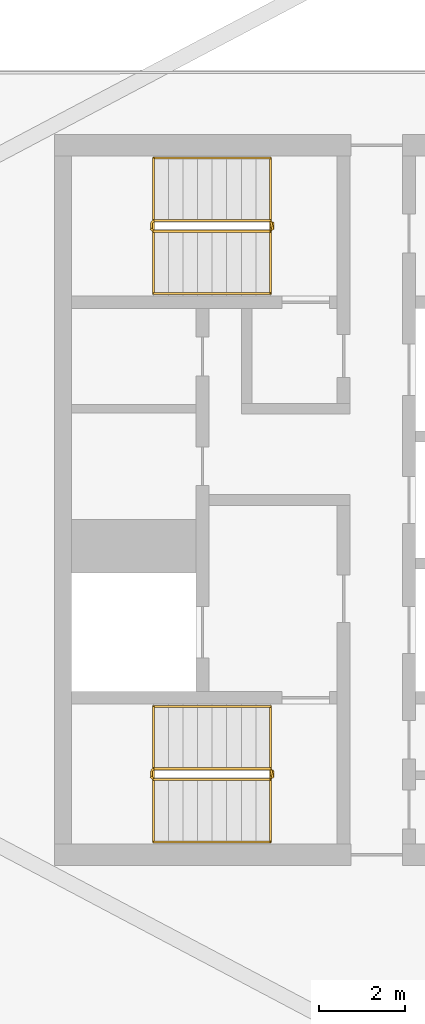
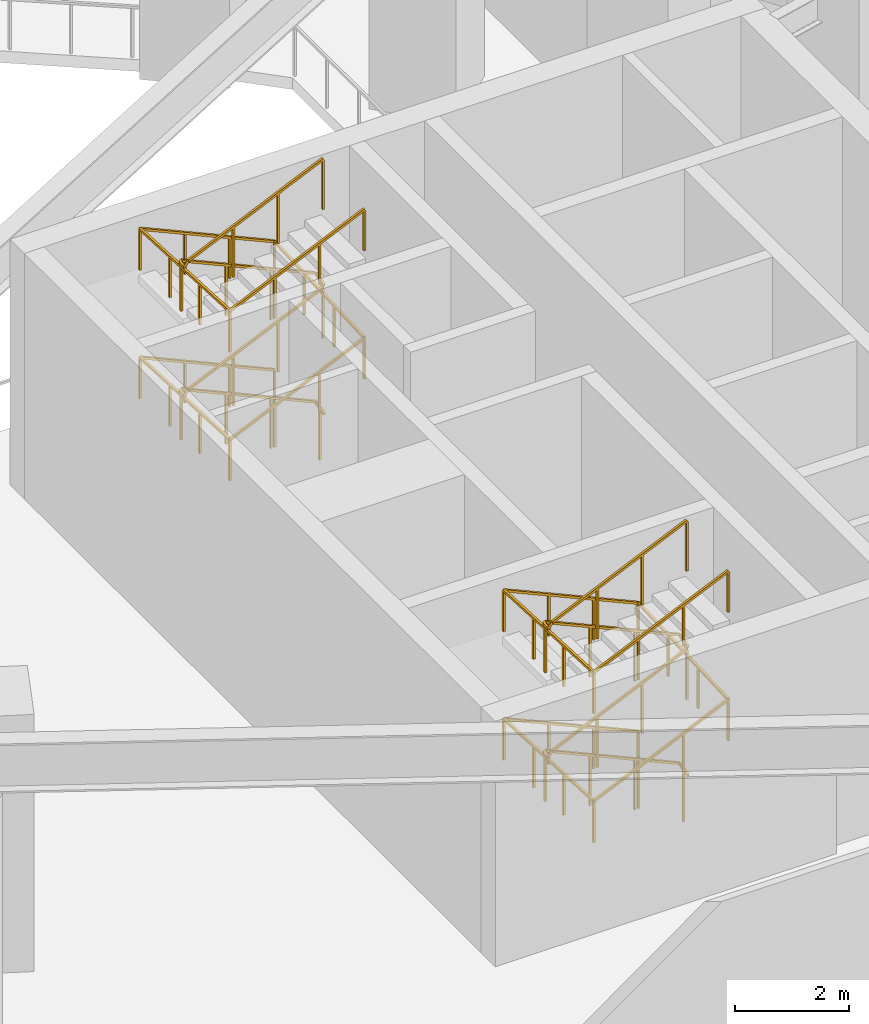
# One storey, part 61 of 69: 4 railings.
"""IFC4 building model written with IfcOpenShell, lengths in metres."""

from ifc_helpers import new_model, si_unit, direction, frame, origin, origin_2d, place, context, subcontext, project, spatial, rectangle, extrude, material, type_object, element, save


model = new_model("IFC4")

# Units and contexts
model_context = context("Model", 3, precision=1e-05, world=origin(), true_north=direction((0.0, 1.0)))
body_context = subcontext(model_context, "Body", "Model", "MODEL_VIEW")
ifc_project = project(units=[si_unit("LENGTHUNIT", "METRE"), si_unit("AREAUNIT", "SQUARE_METRE"), si_unit("VOLUMEUNIT", "CUBIC_METRE"), si_unit("PLANEANGLEUNIT", "RADIAN"), si_unit("MASSUNIT", "GRAM", prefix="KILO")], contexts=[model_context])

# Site, building, storey
site_placement = place(None, origin())
site = spatial("IfcSite", under=ifc_project, at=site_placement, CompositionType="ELEMENT")
building_placement = place(site_placement, origin())
building = spatial("IfcBuilding", under=site, at=building_placement, Name="Noorbagh Ring Tower", CompositionType="ELEMENT")
storey_placement = place(building_placement, frame((0.0, 0.0, 19.5)))
storey = spatial("IfcBuildingStorey", under=building, at=storey_placement, Name="L03", CompositionType="ELEMENT", Elevation=19.5)

# Railings
ifc_material_1 = material(Name="Stainless steel", Category="steel")
railing_type_1 = type_object("IfcRailingType", Name="CORE-STAIR-GUARD", PredefinedType="GUARDRAIL", material=ifc_material_1)
railing_1_placement = place(storey_placement, frame((21.580078125, 6.449951171875, 0.0)))
element("IfcRailing", 1, at=railing_1_placement, inside=storey, type_object=railing_type_1, Name="L03 ST3 stair guard", PredefinedType="GUARDRAIL", context=body_context, shape_type="SweptSolid", body=[
    extrude(rectangle(XDim=0.048095703125, YDim=0.048095703125, at=origin_2d()), frame((0.0, 0.0, 1.076171875), z_axis=(0.0, -1.0, 0.0), x_axis=(1.0, 0.0, 0.0)), (0.0, 0.0, 1.0), 0.14990234375),
    extrude(rectangle(XDim=0.048095703125, YDim=0.048095703125, at=origin_2d()), frame((0.0, -0.14990234375, 1.076171875), z_axis=(-0.195046945594, 0.779236333862, 0.595606770449), x_axis=(-0.970072785993, -0.242814311512, 0.0)), (0.0, 0.0, 1.0), 0.256591796875),
    extrude(rectangle(XDim=0.048095703125, YDim=0.048095703125, at=origin_2d()), frame((-0.050048828125, 0.050048828125, 1.22900390625), z_axis=(-0.912149621895, 0.0, 0.409857374312), x_axis=(0.0, -1.0, 0.0)), (0.0, 0.0, 1.0), 2.98193359375),
    extrude(rectangle(XDim=0.048095703125, YDim=0.048095703125, at=origin_2d()), frame((-2.77001953125, 0.050048828125, 2.451171875), z_axis=(-0.707106781187, -0.707106781187, 0.0), x_axis=(0.707106781187, -0.707106781187, 0.0)), (0.0, 0.0, 1.0), 0.07080078125),
    extrude(rectangle(XDim=0.048095703125, YDim=0.048095703125, at=origin_2d()), frame((-2.820068359375, 0.0, 2.451171875), z_axis=(0.0, -1.0, 0.0), x_axis=(1.0, 0.0, 0.0)), (0.0, 0.0, 1.0), 0.14990234375),
    extrude(rectangle(XDim=0.048095703125, YDim=0.048095703125, at=origin_2d()), frame((-2.820068359375, -0.14990234375, 2.451171875), z_axis=(0.297155754911, -0.297155754911, 0.90741220768), x_axis=(0.707106781187, 0.707106781187, 0.0)), (0.0, 0.0, 1.0), 0.16845703125),
    extrude(rectangle(XDim=0.048095703125, YDim=0.048095703125, at=origin_2d()), frame((-2.77001953125, -0.199951171875, 2.60400390625), z_axis=(0.912149621895, 0.0, 0.409857374312), x_axis=(0.0, 1.0, 0.0)), (0.0, 0.0, 1.0), 2.98193359375),
    extrude(rectangle(XDim=0.048095703125, YDim=0.048095703125, at=origin_2d()), frame((-0.050048828125, -0.199951171875, 3.826171875), z_axis=(0.242814311512, 0.970072785993, 0.0), x_axis=(-0.970072785993, 0.242814311512, 0.0)), (0.0, 0.0, 1.0), 0.2060546875),
    extrude(rectangle(XDim=0.048095703125, YDim=0.048095703125, at=origin_2d()), frame((0.0, 0.0, 3.826171875), z_axis=(0.0, -1.0, 0.0), x_axis=(1.0, 0.0, 0.0)), (0.0, 0.0, 1.0), 0.14990234375),
    extrude(rectangle(XDim=0.048095703125, YDim=0.048095703125, at=origin_2d()), frame((0.0, -0.14990234375, 3.826171875), z_axis=(-0.195046945594, 0.779236333862, 0.595606770449), x_axis=(-0.970072785993, -0.242814311512, 0.0)), (0.0, 0.0, 1.0), 0.256591796875),
    extrude(rectangle(XDim=0.048095703125, YDim=0.048095703125, at=origin_2d()), frame((-0.050048828125, 0.050048828125, 3.97900390625), z_axis=(-0.912149621895, 0.0, 0.409857374312), x_axis=(0.0, -1.0, 0.0)), (0.0, 0.0, 1.0), 2.98193359375),
    extrude(rectangle(XDim=0.048095703125, YDim=0.048095703125, at=origin_2d()), frame((-2.77001953125, 0.050048828125, 5.201171875), z_axis=(-0.707106781187, -0.707106781187, 0.0), x_axis=(0.707106781187, -0.707106781187, 0.0)), (0.0, 0.0, 1.0), 0.07080078125),
    extrude(rectangle(XDim=0.048095703125, YDim=0.048095703125, at=origin_2d()), frame((-2.820068359375, 0.0, 5.201171875), z_axis=(0.0, -1.0, 0.0), x_axis=(1.0, 0.0, 0.0)), (0.0, 0.0, 1.0), 0.14990234375),
    extrude(rectangle(XDim=0.048095703125, YDim=0.048095703125, at=origin_2d()), frame((-2.820068359375, -0.14990234375, 5.201171875), z_axis=(0.297155754911, -0.297155754911, 0.90741220768), x_axis=(0.707106781187, 0.707106781187, 0.0)), (0.0, 0.0, 1.0), 0.16845703125),
    extrude(rectangle(XDim=0.048095703125, YDim=0.048095703125, at=origin_2d()), frame((-2.77001953125, -0.199951171875, 5.35400390625), z_axis=(0.912149621895, 0.0, 0.409857374312), x_axis=(0.0, 1.0, 0.0)), (0.0, 0.0, 1.0), 2.98193359375),
    extrude(rectangle(XDim=0.0419921875, YDim=0.0419921875, at=origin_2d()), origin(), (0.0, 0.0, 1.0), 1.052001953125),
    extrude(rectangle(XDim=0.0419921875, YDim=0.0419921875, at=origin_2d()), frame((-0.956787109375, 0.050048828125, 0.560302734375)), (0.0, 0.0, 1.0), 1.052001953125),
    extrude(rectangle(XDim=0.0419921875, YDim=0.0419921875, at=origin_2d()), frame((-1.86328125, 0.050048828125, 0.967529296875)), (0.0, 0.0, 1.0), 1.052001953125),
    extrude(rectangle(XDim=0.0419921875, YDim=0.0419921875, at=origin_2d()), frame((-2.77001953125, 0.050048828125, 1.375)), (0.0, 0.0, 1.0), 1.052001953125),
    extrude(rectangle(XDim=0.0419921875, YDim=0.0419921875, at=origin_2d()), frame((-1.86328125, -0.199951171875, 1.935302734375)), (0.0, 0.0, 1.0), 1.052001953125),
    extrude(rectangle(XDim=0.0419921875, YDim=0.0419921875, at=origin_2d()), frame((-0.956787109375, -0.199951171875, 2.342529296875)), (0.0, 0.0, 1.0), 1.052001953125),
    extrude(rectangle(XDim=0.0419921875, YDim=0.0419921875, at=origin_2d()), frame((-0.050048828125, -0.199951171875, 2.75)), (0.0, 0.0, 1.0), 1.052001953125),
    extrude(rectangle(XDim=0.0419921875, YDim=0.0419921875, at=origin_2d()), frame((-0.956787109375, 0.050048828125, 3.310302734375)), (0.0, 0.0, 1.0), 1.052001953125),
    extrude(rectangle(XDim=0.0419921875, YDim=0.0419921875, at=origin_2d()), frame((-1.86328125, 0.050048828125, 3.717529296875)), (0.0, 0.0, 1.0), 1.052001953125),
    extrude(rectangle(XDim=0.0419921875, YDim=0.0419921875, at=origin_2d()), frame((-2.77001953125, 0.050048828125, 4.125)), (0.0, 0.0, 1.0), 1.052001953125),
    extrude(rectangle(XDim=0.0419921875, YDim=0.0419921875, at=origin_2d()), frame((-1.86328125, -0.199951171875, 4.685302734375)), (0.0, 0.0, 1.0), 1.052001953125),
    extrude(rectangle(XDim=0.0419921875, YDim=0.0419921875, at=origin_2d()), frame((-0.956787109375, -0.199951171875, 5.092529296875)), (0.0, 0.0, 1.0), 1.052001953125),
    extrude(rectangle(XDim=0.0419921875, YDim=0.0419921875, at=origin_2d()), frame((-0.050048828125, -0.199951171875, 5.5)), (0.0, 0.0, 1.0), 1.052001953125),
])
railing_2_placement = place(storey_placement, frame((21.580078125, -6.300048828125, 0.0)))
element("IfcRailing", 2, at=railing_2_placement, inside=storey, type_object=railing_type_1, Name="L03 ST4 stair guard", PredefinedType="GUARDRAIL", context=body_context, shape_type="SweptSolid", body=[
    extrude(rectangle(XDim=0.048095703125, YDim=0.048095703125, at=origin_2d()), frame((0.0, 0.0, 1.076171875), z_axis=(0.0, -1.0, 0.0), x_axis=(1.0, 0.0, 0.0)), (0.0, 0.0, 1.0), 0.14990234375),
    extrude(rectangle(XDim=0.048095703125, YDim=0.048095703125, at=origin_2d()), frame((0.0, -0.14990234375, 1.076171875), z_axis=(-0.195046945594, 0.779236333862, 0.595606770449), x_axis=(-0.970072785993, -0.242814311512, 0.0)), (0.0, 0.0, 1.0), 0.256591796875),
    extrude(rectangle(XDim=0.048095703125, YDim=0.048095703125, at=origin_2d()), frame((-0.050048828125, 0.050048828125, 1.22900390625), z_axis=(-0.912149621895, 0.0, 0.409857374312), x_axis=(0.0, -1.0, 0.0)), (0.0, 0.0, 1.0), 2.98193359375),
    extrude(rectangle(XDim=0.048095703125, YDim=0.048095703125, at=origin_2d()), frame((-2.77001953125, 0.050048828125, 2.451171875), z_axis=(-0.707106781187, -0.707106781187, 0.0), x_axis=(0.707106781187, -0.707106781187, 0.0)), (0.0, 0.0, 1.0), 0.07080078125),
    extrude(rectangle(XDim=0.048095703125, YDim=0.048095703125, at=origin_2d()), frame((-2.820068359375, 0.0, 2.451171875), z_axis=(0.0, -1.0, 0.0), x_axis=(1.0, 0.0, 0.0)), (0.0, 0.0, 1.0), 0.14990234375),
    extrude(rectangle(XDim=0.048095703125, YDim=0.048095703125, at=origin_2d()), frame((-2.820068359375, -0.14990234375, 2.451171875), z_axis=(0.297155754911, -0.297155754911, 0.90741220768), x_axis=(0.707106781187, 0.707106781187, 0.0)), (0.0, 0.0, 1.0), 0.16845703125),
    extrude(rectangle(XDim=0.048095703125, YDim=0.048095703125, at=origin_2d()), frame((-2.77001953125, -0.199951171875, 2.60400390625), z_axis=(0.912149621895, 0.0, 0.409857374312), x_axis=(0.0, 1.0, 0.0)), (0.0, 0.0, 1.0), 2.98193359375),
    extrude(rectangle(XDim=0.048095703125, YDim=0.048095703125, at=origin_2d()), frame((-0.050048828125, -0.199951171875, 3.826171875), z_axis=(0.242814311512, 0.970072785993, 0.0), x_axis=(-0.970072785993, 0.242814311512, 0.0)), (0.0, 0.0, 1.0), 0.2060546875),
    extrude(rectangle(XDim=0.048095703125, YDim=0.048095703125, at=origin_2d()), frame((0.0, 0.0, 3.826171875), z_axis=(0.0, -1.0, 0.0), x_axis=(1.0, 0.0, 0.0)), (0.0, 0.0, 1.0), 0.14990234375),
    extrude(rectangle(XDim=0.048095703125, YDim=0.048095703125, at=origin_2d()), frame((0.0, -0.14990234375, 3.826171875), z_axis=(-0.195046945594, 0.779236333862, 0.595606770449), x_axis=(-0.970072785993, -0.242814311512, 0.0)), (0.0, 0.0, 1.0), 0.256591796875),
    extrude(rectangle(XDim=0.048095703125, YDim=0.048095703125, at=origin_2d()), frame((-0.050048828125, 0.050048828125, 3.97900390625), z_axis=(-0.912149621895, 0.0, 0.409857374312), x_axis=(0.0, -1.0, 0.0)), (0.0, 0.0, 1.0), 2.98193359375),
    extrude(rectangle(XDim=0.048095703125, YDim=0.048095703125, at=origin_2d()), frame((-2.77001953125, 0.050048828125, 5.201171875), z_axis=(-0.707106781187, -0.707106781187, 0.0), x_axis=(0.707106781187, -0.707106781187, 0.0)), (0.0, 0.0, 1.0), 0.07080078125),
    extrude(rectangle(XDim=0.048095703125, YDim=0.048095703125, at=origin_2d()), frame((-2.820068359375, 0.0, 5.201171875), z_axis=(0.0, -1.0, 0.0), x_axis=(1.0, 0.0, 0.0)), (0.0, 0.0, 1.0), 0.14990234375),
    extrude(rectangle(XDim=0.048095703125, YDim=0.048095703125, at=origin_2d()), frame((-2.820068359375, -0.14990234375, 5.201171875), z_axis=(0.297155754911, -0.297155754911, 0.90741220768), x_axis=(0.707106781187, 0.707106781187, 0.0)), (0.0, 0.0, 1.0), 0.16845703125),
    extrude(rectangle(XDim=0.048095703125, YDim=0.048095703125, at=origin_2d()), frame((-2.77001953125, -0.199951171875, 5.35400390625), z_axis=(0.912149621895, 0.0, 0.409857374312), x_axis=(0.0, 1.0, 0.0)), (0.0, 0.0, 1.0), 2.98193359375),
    extrude(rectangle(XDim=0.0419921875, YDim=0.0419921875, at=origin_2d()), origin(), (0.0, 0.0, 1.0), 1.052001953125),
    extrude(rectangle(XDim=0.0419921875, YDim=0.0419921875, at=origin_2d()), frame((-0.956787109375, 0.050048828125, 0.560302734375)), (0.0, 0.0, 1.0), 1.052001953125),
    extrude(rectangle(XDim=0.0419921875, YDim=0.0419921875, at=origin_2d()), frame((-1.86328125, 0.050048828125, 0.967529296875)), (0.0, 0.0, 1.0), 1.052001953125),
    extrude(rectangle(XDim=0.0419921875, YDim=0.0419921875, at=origin_2d()), frame((-2.77001953125, 0.050048828125, 1.375)), (0.0, 0.0, 1.0), 1.052001953125),
    extrude(rectangle(XDim=0.0419921875, YDim=0.0419921875, at=origin_2d()), frame((-1.86328125, -0.199951171875, 1.935302734375)), (0.0, 0.0, 1.0), 1.052001953125),
    extrude(rectangle(XDim=0.0419921875, YDim=0.0419921875, at=origin_2d()), frame((-0.956787109375, -0.199951171875, 2.342529296875)), (0.0, 0.0, 1.0), 1.052001953125),
    extrude(rectangle(XDim=0.0419921875, YDim=0.0419921875, at=origin_2d()), frame((-0.050048828125, -0.199951171875, 2.75)), (0.0, 0.0, 1.0), 1.052001953125),
    extrude(rectangle(XDim=0.0419921875, YDim=0.0419921875, at=origin_2d()), frame((-0.956787109375, 0.050048828125, 3.310302734375)), (0.0, 0.0, 1.0), 1.052001953125),
    extrude(rectangle(XDim=0.0419921875, YDim=0.0419921875, at=origin_2d()), frame((-1.86328125, 0.050048828125, 3.717529296875)), (0.0, 0.0, 1.0), 1.052001953125),
    extrude(rectangle(XDim=0.0419921875, YDim=0.0419921875, at=origin_2d()), frame((-2.77001953125, 0.050048828125, 4.125)), (0.0, 0.0, 1.0), 1.052001953125),
    extrude(rectangle(XDim=0.0419921875, YDim=0.0419921875, at=origin_2d()), frame((-1.86328125, -0.199951171875, 4.685302734375)), (0.0, 0.0, 1.0), 1.052001953125),
    extrude(rectangle(XDim=0.0419921875, YDim=0.0419921875, at=origin_2d()), frame((-0.956787109375, -0.199951171875, 5.092529296875)), (0.0, 0.0, 1.0), 1.052001953125),
    extrude(rectangle(XDim=0.0419921875, YDim=0.0419921875, at=origin_2d()), frame((-0.050048828125, -0.199951171875, 5.5)), (0.0, 0.0, 1.0), 1.052001953125),
])
ifc_material_2 = material(Name="Stainless steel", Category="steel")
railing_type_2 = type_object("IfcRailingType", Name="CORE-STAIR-HANDRAIL", PredefinedType="HANDRAIL", material=ifc_material_2)
railing_3_placement = place(storey_placement, frame((21.530029296875, 7.949951171875, 0.15283203125)))
element("IfcRailing", 3, at=railing_3_placement, inside=storey, type_object=railing_type_2, Name="L03 ST3 stair handrail", PredefinedType="HANDRAIL", context=body_context, shape_type="SweptSolid", body=[
    extrude(rectangle(XDim=0.048095703125, YDim=0.048095703125, at=origin_2d()), frame((0.0, 0.0, 0.8759765625), z_axis=(-0.912149621895, 0.0, 0.409857374312), x_axis=(0.0, -1.0, 0.0)), (0.0, 0.0, 1.0), 2.98193359375),
    extrude(rectangle(XDim=0.048095703125, YDim=0.048095703125, at=origin_2d()), frame((-2.719970703125, 0.0, 2.09814453125), z_axis=(0.0, -0.998824997948, 0.048462598722), x_axis=(1.0, 0.0, 0.0)), (0.0, 0.0, 1.0), 3.153564453125),
    extrude(rectangle(XDim=0.048095703125, YDim=0.048095703125, at=origin_2d()), frame((-2.719970703125, -3.14990234375, 2.2509765625), z_axis=(0.912149621895, 0.0, 0.409857374312), x_axis=(0.0, 1.0, 0.0)), (0.0, 0.0, 1.0), 2.98193359375),
    extrude(rectangle(XDim=0.048095703125, YDim=0.048095703125, at=origin_2d()), frame((0.0, -3.14990234375, 3.47314453125), z_axis=(0.0, 0.998824997948, 0.048462598722), x_axis=(-1.0, 0.0, 0.0)), (0.0, 0.0, 1.0), 3.153564453125),
    extrude(rectangle(XDim=0.048095703125, YDim=0.048095703125, at=origin_2d()), frame((0.0, 0.0, 3.6259765625), z_axis=(-0.912149621895, 0.0, 0.409857374312), x_axis=(0.0, -1.0, 0.0)), (0.0, 0.0, 1.0), 2.98193359375),
    extrude(rectangle(XDim=0.048095703125, YDim=0.048095703125, at=origin_2d()), frame((-2.719970703125, 0.0, 4.84814453125), z_axis=(0.0, -0.998824997948, 0.048462598722), x_axis=(1.0, 0.0, 0.0)), (0.0, 0.0, 1.0), 3.153564453125),
    extrude(rectangle(XDim=0.048095703125, YDim=0.048095703125, at=origin_2d()), frame((-2.719970703125, -3.14990234375, 5.0009765625), z_axis=(0.912149621895, 0.0, 0.409857374312), x_axis=(0.0, 1.0, 0.0)), (0.0, 0.0, 1.0), 2.98193359375),
    extrude(rectangle(XDim=0.0419921875, YDim=0.0419921875, at=origin_2d()), origin(), (0.0, 0.0, 1.0), 0.851806640625),
    extrude(rectangle(XDim=0.0419921875, YDim=0.0419921875, at=origin_2d()), frame((-0.90673828125, 0.0, 0.407470703125)), (0.0, 0.0, 1.0), 0.851806640625),
    extrude(rectangle(XDim=0.0419921875, YDim=0.0419921875, at=origin_2d()), frame((-1.813232421875, 0.0, 0.814697265625)), (0.0, 0.0, 1.0), 0.851806640625),
    extrude(rectangle(XDim=0.0419921875, YDim=0.0419921875, at=origin_2d()), frame((-2.719970703125, 0.0, 1.22216796875)), (0.0, 0.0, 1.0), 0.851806640625),
    extrude(rectangle(XDim=0.0419921875, YDim=0.0419921875, at=origin_2d()), frame((-2.719970703125, -1.050048828125, 1.273193359375)), (0.0, 0.0, 1.0), 0.851806640625),
    extrude(rectangle(XDim=0.0419921875, YDim=0.0419921875, at=origin_2d()), frame((-2.719970703125, -2.099853515625, 1.323974609375)), (0.0, 0.0, 1.0), 0.851806640625),
    extrude(rectangle(XDim=0.0419921875, YDim=0.0419921875, at=origin_2d()), frame((-2.719970703125, -3.14990234375, 1.375)), (0.0, 0.0, 1.0), 0.851806640625),
    extrude(rectangle(XDim=0.0419921875, YDim=0.0419921875, at=origin_2d()), frame((-1.813232421875, -3.14990234375, 1.782470703125)), (0.0, 0.0, 1.0), 0.851806640625),
    extrude(rectangle(XDim=0.0419921875, YDim=0.0419921875, at=origin_2d()), frame((-0.90673828125, -3.14990234375, 2.189697265625)), (0.0, 0.0, 1.0), 0.851806640625),
    extrude(rectangle(XDim=0.0419921875, YDim=0.0419921875, at=origin_2d()), frame((0.0, -3.14990234375, 2.59716796875)), (0.0, 0.0, 1.0), 0.851806640625),
    extrude(rectangle(XDim=0.0419921875, YDim=0.0419921875, at=origin_2d()), frame((0.0, -2.099853515625, 2.648193359375)), (0.0, 0.0, 1.0), 0.851806640625),
    extrude(rectangle(XDim=0.0419921875, YDim=0.0419921875, at=origin_2d()), frame((0.0, -1.050048828125, 2.698974609375)), (0.0, 0.0, 1.0), 0.851806640625),
    extrude(rectangle(XDim=0.0419921875, YDim=0.0419921875, at=origin_2d()), frame((0.0, 0.0, 2.75)), (0.0, 0.0, 1.0), 0.851806640625),
    extrude(rectangle(XDim=0.0419921875, YDim=0.0419921875, at=origin_2d()), frame((-0.90673828125, 0.0, 3.157470703125)), (0.0, 0.0, 1.0), 0.851806640625),
    extrude(rectangle(XDim=0.0419921875, YDim=0.0419921875, at=origin_2d()), frame((-1.813232421875, 0.0, 3.564697265625)), (0.0, 0.0, 1.0), 0.851806640625),
    extrude(rectangle(XDim=0.0419921875, YDim=0.0419921875, at=origin_2d()), frame((-2.719970703125, 0.0, 3.97216796875)), (0.0, 0.0, 1.0), 0.851806640625),
    extrude(rectangle(XDim=0.0419921875, YDim=0.0419921875, at=origin_2d()), frame((-2.719970703125, -1.050048828125, 4.023193359375)), (0.0, 0.0, 1.0), 0.851806640625),
    extrude(rectangle(XDim=0.0419921875, YDim=0.0419921875, at=origin_2d()), frame((-2.719970703125, -2.099853515625, 4.073974609375)), (0.0, 0.0, 1.0), 0.851806640625),
    extrude(rectangle(XDim=0.0419921875, YDim=0.0419921875, at=origin_2d()), frame((-2.719970703125, -3.14990234375, 4.125)), (0.0, 0.0, 1.0), 0.851806640625),
    extrude(rectangle(XDim=0.0419921875, YDim=0.0419921875, at=origin_2d()), frame((-1.813232421875, -3.14990234375, 4.532470703125)), (0.0, 0.0, 1.0), 0.851806640625),
    extrude(rectangle(XDim=0.0419921875, YDim=0.0419921875, at=origin_2d()), frame((-0.90673828125, -3.14990234375, 4.939697265625)), (0.0, 0.0, 1.0), 0.851806640625),
    extrude(rectangle(XDim=0.0419921875, YDim=0.0419921875, at=origin_2d()), frame((0.0, -3.14990234375, 5.34716796875)), (0.0, 0.0, 1.0), 0.851806640625),
])
railing_4_placement = place(storey_placement, frame((21.530029296875, -4.800048828125, 0.15283203125)))
element("IfcRailing", 4, at=railing_4_placement, inside=storey, type_object=railing_type_2, Name="L03 ST4 stair handrail", PredefinedType="HANDRAIL", context=body_context, shape_type="SweptSolid", body=[
    extrude(rectangle(XDim=0.048095703125, YDim=0.048095703125, at=origin_2d()), frame((0.0, 0.0, 0.8759765625), z_axis=(-0.912149621895, 0.0, 0.409857374312), x_axis=(0.0, -1.0, 0.0)), (0.0, 0.0, 1.0), 2.98193359375),
    extrude(rectangle(XDim=0.048095703125, YDim=0.048095703125, at=origin_2d()), frame((-2.719970703125, 0.0, 2.09814453125), z_axis=(0.0, -0.998824997948, 0.048462598722), x_axis=(1.0, 0.0, 0.0)), (0.0, 0.0, 1.0), 3.153564453125),
    extrude(rectangle(XDim=0.048095703125, YDim=0.048095703125, at=origin_2d()), frame((-2.719970703125, -3.14990234375, 2.2509765625), z_axis=(0.912149621895, 0.0, 0.409857374312), x_axis=(0.0, 1.0, 0.0)), (0.0, 0.0, 1.0), 2.98193359375),
    extrude(rectangle(XDim=0.048095703125, YDim=0.048095703125, at=origin_2d()), frame((0.0, -3.14990234375, 3.47314453125), z_axis=(0.0, 0.998824997948, 0.048462598722), x_axis=(-1.0, 0.0, 0.0)), (0.0, 0.0, 1.0), 3.153564453125),
    extrude(rectangle(XDim=0.048095703125, YDim=0.048095703125, at=origin_2d()), frame((0.0, 0.0, 3.6259765625), z_axis=(-0.912149621895, 0.0, 0.409857374312), x_axis=(0.0, -1.0, 0.0)), (0.0, 0.0, 1.0), 2.98193359375),
    extrude(rectangle(XDim=0.048095703125, YDim=0.048095703125, at=origin_2d()), frame((-2.719970703125, 0.0, 4.84814453125), z_axis=(0.0, -0.998824997948, 0.048462598722), x_axis=(1.0, 0.0, 0.0)), (0.0, 0.0, 1.0), 3.153564453125),
    extrude(rectangle(XDim=0.048095703125, YDim=0.048095703125, at=origin_2d()), frame((-2.719970703125, -3.14990234375, 5.0009765625), z_axis=(0.912149621895, 0.0, 0.409857374312), x_axis=(0.0, 1.0, 0.0)), (0.0, 0.0, 1.0), 2.98193359375),
    extrude(rectangle(XDim=0.0419921875, YDim=0.0419921875, at=origin_2d()), origin(), (0.0, 0.0, 1.0), 0.851806640625),
    extrude(rectangle(XDim=0.0419921875, YDim=0.0419921875, at=origin_2d()), frame((-0.90673828125, 0.0, 0.407470703125)), (0.0, 0.0, 1.0), 0.851806640625),
    extrude(rectangle(XDim=0.0419921875, YDim=0.0419921875, at=origin_2d()), frame((-1.813232421875, 0.0, 0.814697265625)), (0.0, 0.0, 1.0), 0.851806640625),
    extrude(rectangle(XDim=0.0419921875, YDim=0.0419921875, at=origin_2d()), frame((-2.719970703125, 0.0, 1.22216796875)), (0.0, 0.0, 1.0), 0.851806640625),
    extrude(rectangle(XDim=0.0419921875, YDim=0.0419921875, at=origin_2d()), frame((-2.719970703125, -1.050048828125, 1.273193359375)), (0.0, 0.0, 1.0), 0.851806640625),
    extrude(rectangle(XDim=0.0419921875, YDim=0.0419921875, at=origin_2d()), frame((-2.719970703125, -2.099853515625, 1.323974609375)), (0.0, 0.0, 1.0), 0.851806640625),
    extrude(rectangle(XDim=0.0419921875, YDim=0.0419921875, at=origin_2d()), frame((-2.719970703125, -3.14990234375, 1.375)), (0.0, 0.0, 1.0), 0.851806640625),
    extrude(rectangle(XDim=0.0419921875, YDim=0.0419921875, at=origin_2d()), frame((-1.813232421875, -3.14990234375, 1.782470703125)), (0.0, 0.0, 1.0), 0.851806640625),
    extrude(rectangle(XDim=0.0419921875, YDim=0.0419921875, at=origin_2d()), frame((-0.90673828125, -3.14990234375, 2.189697265625)), (0.0, 0.0, 1.0), 0.851806640625),
    extrude(rectangle(XDim=0.0419921875, YDim=0.0419921875, at=origin_2d()), frame((0.0, -3.14990234375, 2.59716796875)), (0.0, 0.0, 1.0), 0.851806640625),
    extrude(rectangle(XDim=0.0419921875, YDim=0.0419921875, at=origin_2d()), frame((0.0, -2.099853515625, 2.648193359375)), (0.0, 0.0, 1.0), 0.851806640625),
    extrude(rectangle(XDim=0.0419921875, YDim=0.0419921875, at=origin_2d()), frame((0.0, -1.050048828125, 2.698974609375)), (0.0, 0.0, 1.0), 0.851806640625),
    extrude(rectangle(XDim=0.0419921875, YDim=0.0419921875, at=origin_2d()), frame((0.0, 0.0, 2.75)), (0.0, 0.0, 1.0), 0.851806640625),
    extrude(rectangle(XDim=0.0419921875, YDim=0.0419921875, at=origin_2d()), frame((-0.90673828125, 0.0, 3.157470703125)), (0.0, 0.0, 1.0), 0.851806640625),
    extrude(rectangle(XDim=0.0419921875, YDim=0.0419921875, at=origin_2d()), frame((-1.813232421875, 0.0, 3.564697265625)), (0.0, 0.0, 1.0), 0.851806640625),
    extrude(rectangle(XDim=0.0419921875, YDim=0.0419921875, at=origin_2d()), frame((-2.719970703125, 0.0, 3.97216796875)), (0.0, 0.0, 1.0), 0.851806640625),
    extrude(rectangle(XDim=0.0419921875, YDim=0.0419921875, at=origin_2d()), frame((-2.719970703125, -1.050048828125, 4.023193359375)), (0.0, 0.0, 1.0), 0.851806640625),
    extrude(rectangle(XDim=0.0419921875, YDim=0.0419921875, at=origin_2d()), frame((-2.719970703125, -2.099853515625, 4.073974609375)), (0.0, 0.0, 1.0), 0.851806640625),
    extrude(rectangle(XDim=0.0419921875, YDim=0.0419921875, at=origin_2d()), frame((-2.719970703125, -3.14990234375, 4.125)), (0.0, 0.0, 1.0), 0.851806640625),
    extrude(rectangle(XDim=0.0419921875, YDim=0.0419921875, at=origin_2d()), frame((-1.813232421875, -3.14990234375, 4.532470703125)), (0.0, 0.0, 1.0), 0.851806640625),
    extrude(rectangle(XDim=0.0419921875, YDim=0.0419921875, at=origin_2d()), frame((-0.90673828125, -3.14990234375, 4.939697265625)), (0.0, 0.0, 1.0), 0.851806640625),
    extrude(rectangle(XDim=0.0419921875, YDim=0.0419921875, at=origin_2d()), frame((0.0, -3.14990234375, 5.34716796875)), (0.0, 0.0, 1.0), 0.851806640625),
])

save(model, "model.ifc")
